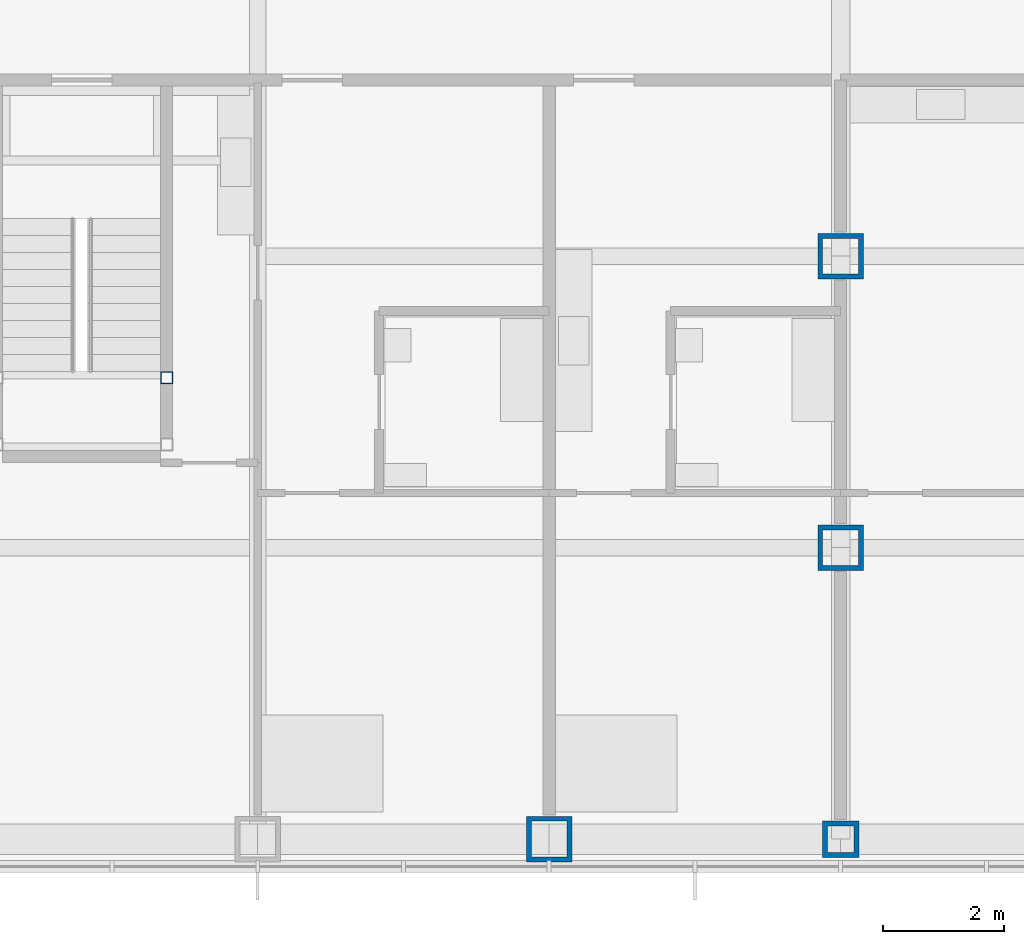
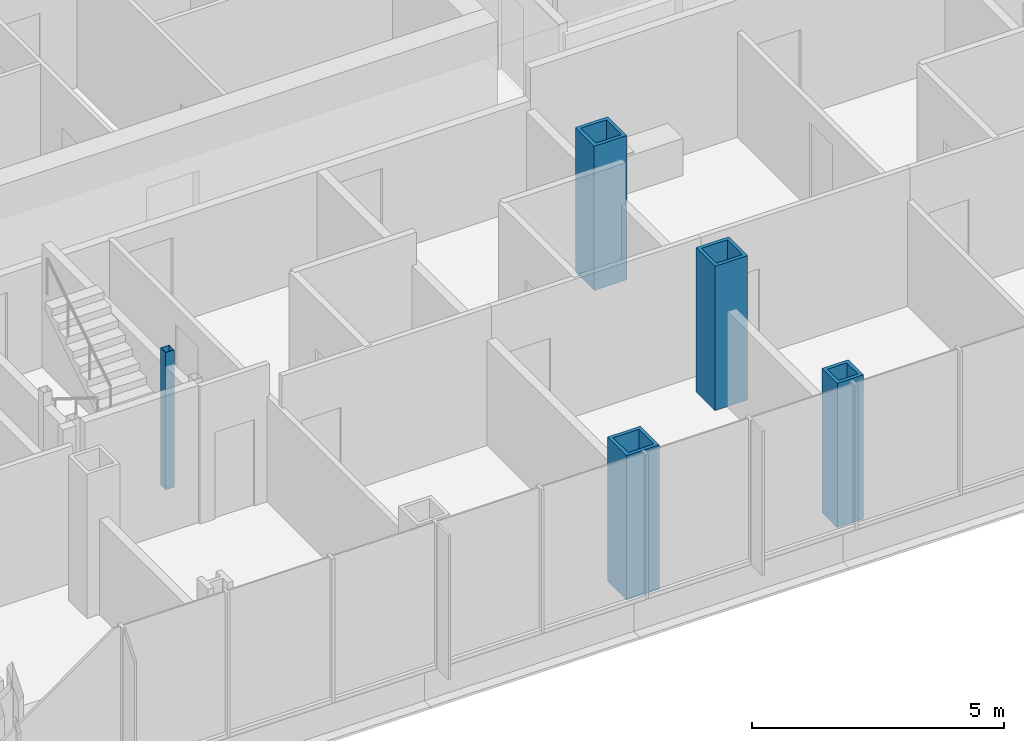
# One storey, part 2 of 21: 5 columns.
"""IFC4 building model written with IfcOpenShell, lengths in metres."""

from ifc_helpers import new_model, si_unit, direction, frame, origin, origin_2d, place, context, subcontext, project, spatial, hollow_rectangle, extrude, material, material_profile, profile_set, type_object, element, save


model = new_model("IFC4")

# Units and contexts
model_context = context("Model", 3, precision=1e-05, world=origin(), true_north=direction((0.0, 1.0)))
body_context = subcontext(model_context, "Body", "Model", "MODEL_VIEW")
ifc_project = project(units=[si_unit("LENGTHUNIT", "METRE"), si_unit("AREAUNIT", "SQUARE_METRE"), si_unit("VOLUMEUNIT", "CUBIC_METRE"), si_unit("PLANEANGLEUNIT", "RADIAN"), si_unit("MASSUNIT", "GRAM", prefix="KILO")], contexts=[model_context])

# Site, building, storey
site_placement = place(None, origin())
site = spatial("IfcSite", under=ifc_project, at=site_placement, CompositionType="ELEMENT")
building_placement = place(site_placement, origin())
building = spatial("IfcBuilding", under=site, at=building_placement, Name="Kvirike Care Tower", CompositionType="ELEMENT")
storey_placement = place(building_placement, frame((0.0, 0.0, 30.5)))
storey = spatial("IfcBuildingStorey", under=building, at=storey_placement, Name="L07", CompositionType="ELEMENT", Elevation=30.5)

# Columns
ifc_material_1 = material(Name="Steel S460", Category="steel")
ifc_material_profile_1 = material_profile(ifc_material_1, hollow_rectangle(XDim=0.60009765625, YDim=0.60009765625, WallThickness=0.080078125, at=origin_2d()), Name="BX 600x600x80")
ifc_profile_set_1 = profile_set([ifc_material_profile_1], Name="Steel S460")
column_type_1 = type_object("IfcColumnType", Name="COLUMN BX 600x600x80", PredefinedType="COLUMN", material=ifc_profile_set_1)
column_1_placement = place(storey_placement, frame((28.800048828125, 14.39990234375, 0.0), z_axis=(0.0, 0.0, 1.0), x_axis=(0.0, 1.0, 0.0)))
element("IfcColumn", 1, at=column_1_placement, inside=storey, type_object=column_type_1, Name="Column D9 L07", PredefinedType="COLUMN", context=body_context, shape_type="SweptSolid", body=[
    extrude(hollow_rectangle(XDim=0.60009765625, YDim=0.60009765625, WallThickness=0.080078125, at=origin_2d()), origin(), (0.0, 0.0, 1.0), 3.5),
])
ifc_material_2 = material(Name="Steel S460", Category="steel")
ifc_material_profile_2 = material_profile(ifc_material_2, hollow_rectangle(XDim=0.75, YDim=0.75, WallThickness=0.080078125, at=origin_2d()), Name="BX 750x750x80")
ifc_profile_set_2 = profile_set([ifc_material_profile_2], Name="Steel S460")
column_type_2 = type_object("IfcColumnType", Name="COLUMN BX 750x750x80", PredefinedType="COLUMN", material=ifc_profile_set_2)
for number, where, z_axis, x_axis, name in (
    (2, (24.0, 14.39990234375, 0.0), (0.0, 0.0, 1.0), (0.0, 1.0, 0.0), "Column D8 L07"),
    (3, (28.800048828125, 19.199951171875, 0.0), (0.0, 0.0, 1.0), (1.0, 0.0, 0.0), "Column E9 L07"),
    (4, (28.800048828125, 24.0, 0.0), (0.0, 0.0, 1.0), (1.0, 0.0, 0.0), "Column F9 L07"),
):
    element("IfcColumn", number, at=place(storey_placement, frame(where, z_axis=z_axis, x_axis=x_axis)), inside=storey, type_object=column_type_2, Name=name, PredefinedType="COLUMN", context=body_context, shape_type="SweptSolid", body=[
        extrude(hollow_rectangle(XDim=0.75, YDim=0.75, WallThickness=0.080078125, at=origin_2d()), origin(), (0.0, 0.0, 1.0), 3.5),
    ])
ifc_material_3 = material(Name="Steel S460", Category="steel")
ifc_material_profile_3 = material_profile(ifc_material_3, hollow_rectangle(XDim=0.199951171875, YDim=0.199951171875, WallThickness=0.008056640625, at=origin_2d()), Name="SHS 200x200x8")
ifc_profile_set_3 = profile_set([ifc_material_profile_3], Name="Steel S460")
column_type_3 = type_object("IfcColumnType", Name="STAIR POST SHS 200x200x8", PredefinedType="COLUMN", material=ifc_profile_set_3)
column_2_placement = place(storey_placement, frame((17.699951171875, 22.0, 0.0), z_axis=(0.0, 0.0, 1.0), x_axis=(1.0, 0.0, 0.0)))
element("IfcColumn", 5, at=column_2_placement, inside=storey, type_object=column_type_3, Name="Stair 5 post 4 L07", PredefinedType="COLUMN", context=body_context, shape_type="SweptSolid", body=[
    extrude(hollow_rectangle(XDim=0.199951171875, YDim=0.199951171875, WallThickness=0.008056640625, at=origin_2d()), origin(), (0.0, 0.0, 1.0), 3.330078125),
])

save(model, "model.ifc")
